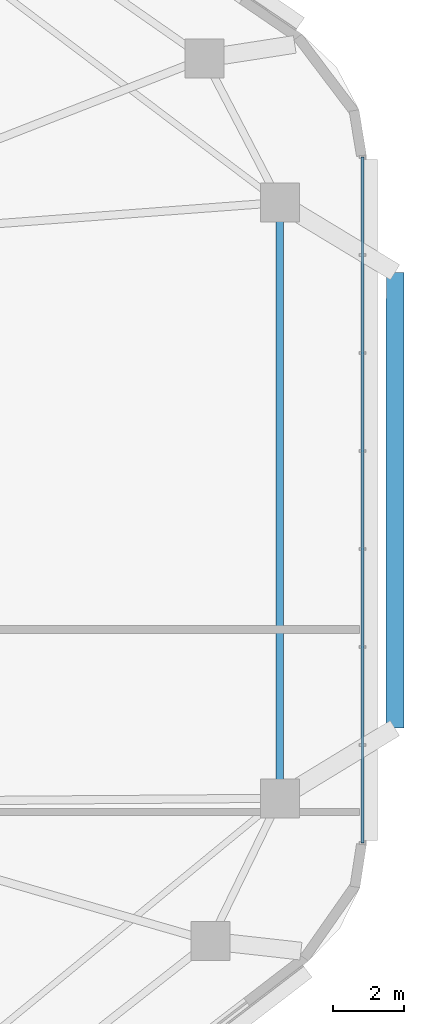
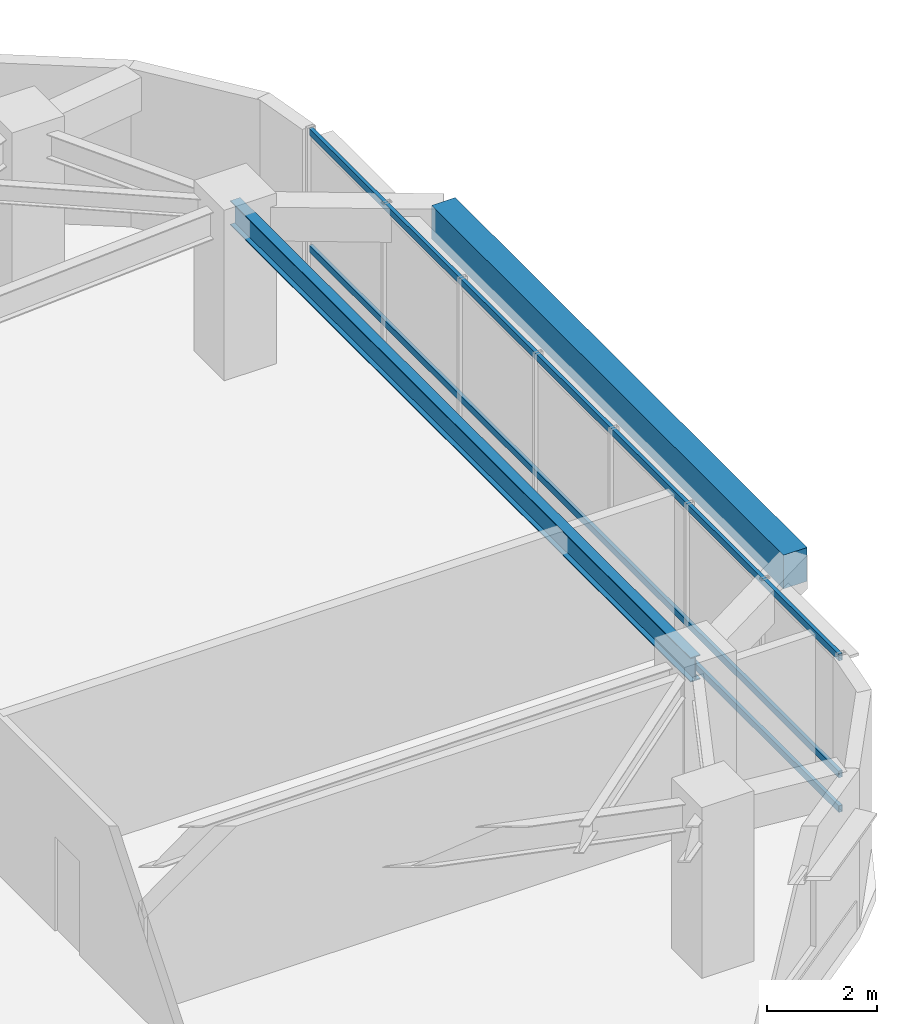
# One storey, part 3 of 13: 3 members, 2 beams, 1 element without a shape of its own.
"""IFC4 building model written with IfcOpenShell, lengths in metres."""

from ifc_helpers import new_model, si_unit, direction, frame, origin, origin_2d, place, context, subcontext, project, spatial, rectangle, hollow_rectangle, i_section, extrude, material, material_profile, profile_set, type_object, element, aggregate, save


model = new_model("IFC4")

# Units and contexts
model_context = context("Model", 3, precision=1e-05, world=origin(), true_north=direction((0.0, 1.0)))
body_context = subcontext(model_context, "Body", "Model", "MODEL_VIEW")
ifc_project = project(units=[si_unit("LENGTHUNIT", "METRE"), si_unit("AREAUNIT", "SQUARE_METRE"), si_unit("VOLUMEUNIT", "CUBIC_METRE"), si_unit("PLANEANGLEUNIT", "RADIAN"), si_unit("MASSUNIT", "GRAM", prefix="KILO")], contexts=[model_context])

# Site, building, storey
site_placement = place(None, origin())
site = spatial("IfcSite", under=ifc_project, at=site_placement, CompositionType="ELEMENT")
building_placement = place(site_placement, origin())
building = spatial("IfcBuilding", under=site, at=building_placement, Name="Zulverin Broadcast Headquarters", CompositionType="ELEMENT")
storey_placement = place(building_placement, frame((0.0, 0.0, 108.60009765625)))
storey = spatial("IfcBuildingStorey", under=building, at=storey_placement, Name="L27", CompositionType="ELEMENT", Elevation=108.60009765625)

# Beams
ifc_material_1 = material(Name="Concrete C40/50", Category="concrete")
ifc_material_profile_1 = material_profile(ifc_material_1, rectangle(XDim=0.5, YDim=0.75, at=origin_2d()), Name="Concrete C40/50", Category="concrete")
ifc_profile_set_1 = profile_set([ifc_material_profile_1], Name="Concrete C40/50")
beam_type_1 = type_object("IfcBeamType", Name="BM-RC-500x750", PredefinedType="BEAM", material=ifc_profile_set_1)
beam_1_placement = place(storey_placement, frame((66.994384765625, 19.418212890625, 3.14990234375), z_axis=(0.000531985561, 0.999999858496, 0.0), x_axis=(-0.999999858496, 0.000531985561, 0.0)))
element("IfcBeam", 1, at=beam_1_placement, inside=storey, type_object=beam_type_1, Name="L28 Balcony Outer Edge Trimmer Beam BAL_E", PredefinedType="BEAM", context=body_context, shape_type="SweptSolid", body=[
    extrude(rectangle(XDim=0.5, YDim=0.75, at=origin_2d()), origin(), (0.0, 0.0, 1.0), 12.849853515625),
])
ifc_material_2 = material(Name="Structural steel S355JR", Category="steel")
ifc_material_profile_2 = material_profile(ifc_material_2, i_section(OverallWidth=0.2119140625, OverallDepth=0.54443359375, WebThickness=0.0126953125, FlangeThickness=0.021240234375, at=origin_2d()), Name="Structural steel S355JR", Category="steel")
ifc_profile_set_2 = profile_set([ifc_material_profile_2], Name="Structural steel S355JR")
beam_type_2 = type_object("IfcBeamType", Name="BM-UB-533", PredefinedType="SPANDREL", material=ifc_profile_set_2)
beam_2_placement = place(storey_placement, frame((63.75, 17.439697265625, 3.252685546875), z_axis=(0.0, 1.0, 0.0), x_axis=(-1.0, 0.0, 0.0)))
element("IfcBeam", 2, at=beam_2_placement, inside=storey, type_object=beam_type_2, Name="L27 Perimeter Spandrel Beam SP-05", PredefinedType="SPANDREL", context=body_context, shape_type="SweptSolid", body=[
    extrude(i_section(OverallWidth=0.2119140625, OverallDepth=0.54443359375, WebThickness=0.0126953125, FlangeThickness=0.021240234375, at=origin_2d()), origin(), (0.0, 0.0, 1.0), 16.79541015625),
])

# Curtain wall, members
ifc_material_3 = material(Name="Low-zone ribbon unitised curtain wall", Category="aluminium")
curtain_wall_type = type_object("IfcCurtainWallType", Name="CW-TWR-LOW", PredefinedType="USERDEFINED", material=ifc_material_3)
curtain_wall_placement = place(storey_placement, origin())
curtain_wall = element("IfcCurtainWall", 3, at=curtain_wall_placement, inside=storey, type_object=curtain_wall_type, Name="L27 Unitised Curtain Wall CW-L27-E3", ObjectType="UNITISED CURTAIN WALL", PredefinedType="USERDEFINED")
ifc_material_4 = material(Name="Anodized pale-metal aluminium alloy 6063-T6", Category="aluminium")
ifc_material_profile_3 = material_profile(ifc_material_4, hollow_rectangle(XDim=0.074951171875, YDim=0.14990234375, WallThickness=0.0048828125, at=origin_2d()), Name="Anodized pale-metal aluminium alloy 6063-T6", Category="aluminium")
ifc_profile_set_3 = profile_set([ifc_material_profile_3], Name="Anodized pale-metal aluminium alloy 6063-T6")
member_type = type_object("IfcMemberType", Name="CW-TRN-150", PredefinedType="USERDEFINED", material=ifc_profile_set_3)
member_1_placement = place(storey_placement, frame((66.080078125, 16.183349609375, 0.074951171875), z_axis=(0.0, 1.0, 0.0), x_axis=(-1.0, 0.0, 0.0)))
member_1 = element("IfcMember", 4, at=member_1_placement, type_object=member_type, Name="CW-L27-E3 Transom 0", ObjectType="TRANSOM", PredefinedType="USERDEFINED", context=body_context, shape_type="SweptSolid", body=[
    extrude(hollow_rectangle(XDim=0.074951171875, YDim=0.14990234375, WallThickness=0.0048828125, at=origin_2d()), origin(), (0.0, 0.0, 1.0), 19.3310546875),
])
member_2_placement = place(storey_placement, frame((66.080078125, 16.183349609375, 0.845947265625), z_axis=(0.0, 1.0, 0.0), x_axis=(-1.0, 0.0, 0.0)))
member_2 = element("IfcMember", 5, at=member_2_placement, type_object=member_type, Name="CW-L27-E3 Transom 1", ObjectType="TRANSOM", PredefinedType="USERDEFINED", context=body_context, shape_type="SweptSolid", body=[
    extrude(hollow_rectangle(XDim=0.074951171875, YDim=0.14990234375, WallThickness=0.0048828125, at=origin_2d()), origin(), (0.0, 0.0, 1.0), 19.3310546875),
])
member_3_placement = place(storey_placement, frame((66.080078125, 16.183349609375, 3.449951171875), z_axis=(0.0, 1.0, 0.0), x_axis=(-1.0, 0.0, 0.0)))
member_3 = element("IfcMember", 6, at=member_3_placement, type_object=member_type, Name="CW-L27-E3 Transom 2", ObjectType="TRANSOM", PredefinedType="USERDEFINED", context=body_context, shape_type="SweptSolid", body=[
    extrude(hollow_rectangle(XDim=0.074951171875, YDim=0.14990234375, WallThickness=0.0048828125, at=origin_2d()), origin(), (0.0, 0.0, 1.0), 19.3310546875),
])
aggregate(curtain_wall, [member_1, member_2, member_3])

save(model, "model.ifc")
